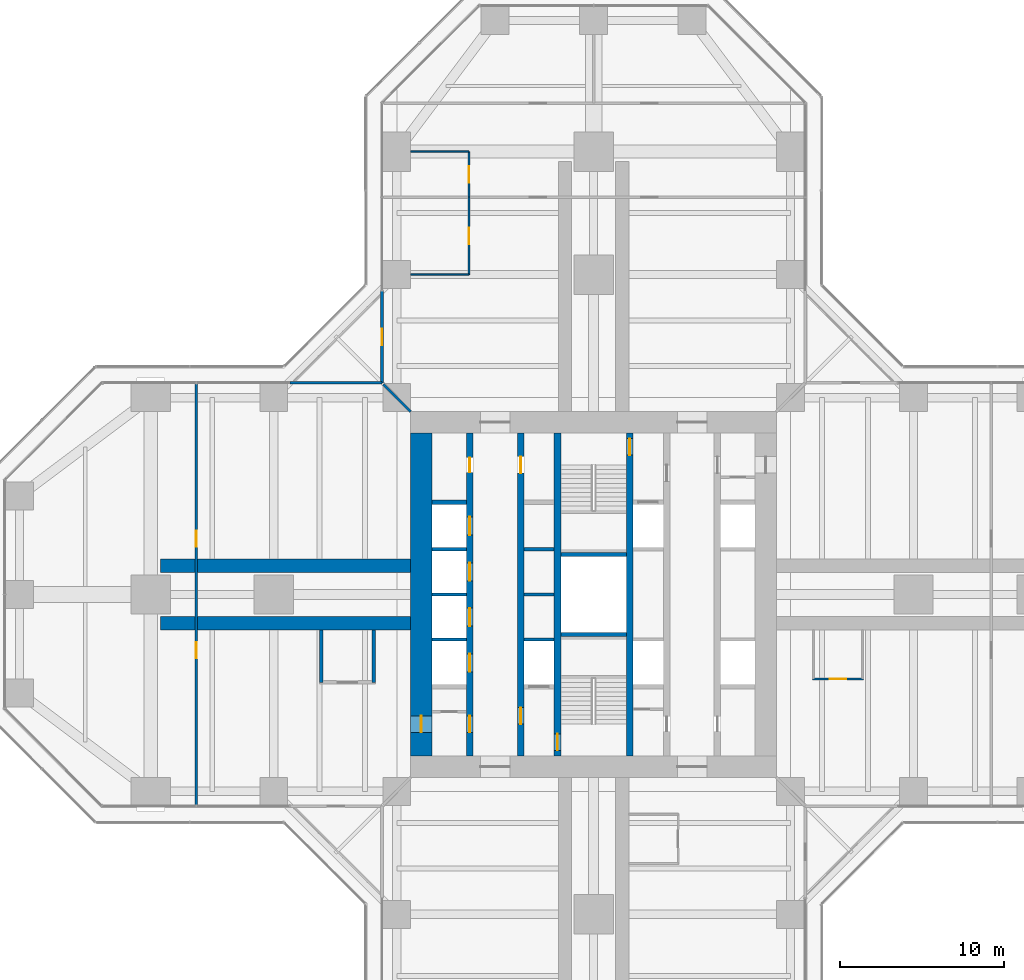
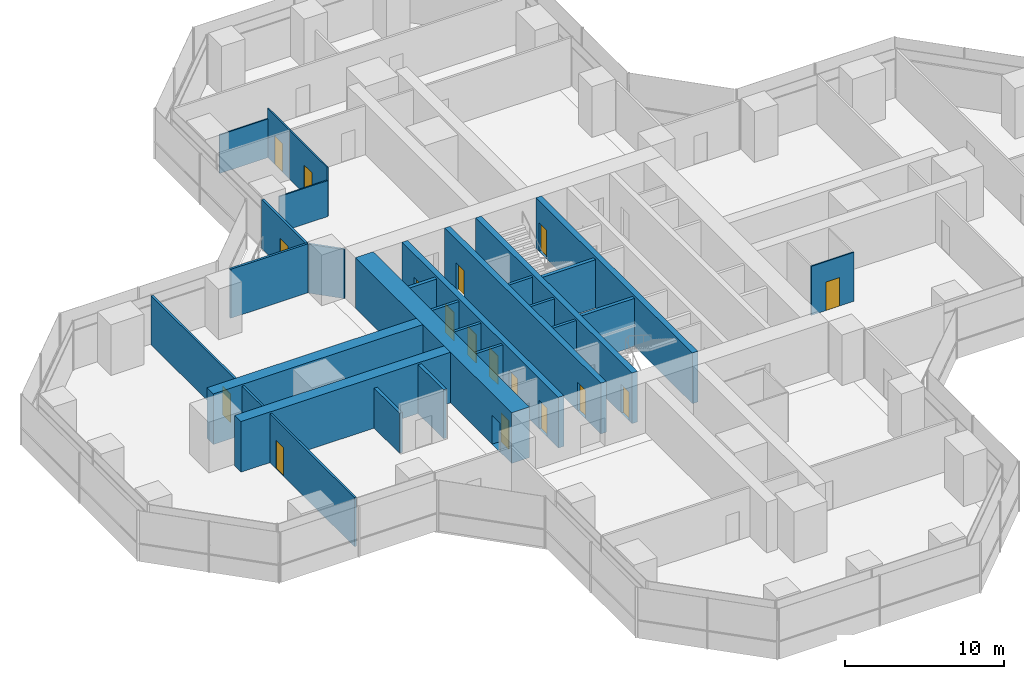
# One storey, part 18 of 22: 27 walls, 17 doors, 17 openings.
"""IFC4 building model written with IfcOpenShell, lengths in metres."""

from ifc_helpers import new_model, si_unit, direction, frame, frame_2d, origin, place, context, subcontext, project, spatial, rectangle, extrude, material, layer, layer_set, type_object, element, fill, save


model = new_model("IFC4")

# Units and contexts
model_context = context("Model", 3, precision=1e-05, world=origin(), true_north=direction((0.0, 1.0)))
body_context = subcontext(model_context, "Body", "Model", "MODEL_VIEW")
ifc_project = project(units=[si_unit("LENGTHUNIT", "METRE"), si_unit("AREAUNIT", "SQUARE_METRE"), si_unit("VOLUMEUNIT", "CUBIC_METRE"), si_unit("PLANEANGLEUNIT", "RADIAN"), si_unit("MASSUNIT", "GRAM", prefix="KILO")], contexts=[model_context])

# Site, building, storey
site_placement = place(None, origin())
site = spatial("IfcSite", under=ifc_project, at=site_placement, CompositionType="ELEMENT")
building_placement = place(site_placement, origin())
building = spatial("IfcBuilding", under=site, at=building_placement, Name="Mizan Broadcast Tower", CompositionType="ELEMENT")
storey_placement = place(building_placement, frame((0.0, 0.0, 109.800048828125)))
storey = spatial("IfcBuildingStorey", under=building, at=storey_placement, Name="L24", CompositionType="ELEMENT", Elevation=109.800048828125)

# Wall, openings, doors
ifc_material_1 = material(Name="Concrete C70/85", Category="concrete")
ifc_layer_1 = layer(ifc_material_1, 0.39990234375)
ifc_layer_set_1 = layer_set([ifc_layer_1], Name="Concrete C70/85")
wall_type_1 = type_object("IfcWallType", Name="CORE INTERNAL WALL 400", PredefinedType="SHEAR", material=ifc_layer_set_1)
wall_1_placement = place(storey_placement, frame((-7.550048828125, -9.85009765625, 0.0), z_axis=(0.0, 0.0, 1.0), x_axis=(0.0, 1.0, 0.0)))
wall_1 = element("IfcWall", 1, at=wall_1_placement, inside=storey, type_object=wall_type_1, Name="Core wall CORE/XW1", PredefinedType="SHEAR", context=body_context, shape_type="SweptSolid", body=[
    extrude(rectangle(XDim=19.7001953125, YDim=0.39990234375, at=frame_2d((9.85009765625, 0.0))), origin(), (0.0, 0.0, 1.0), 3.89990234375),
])
opening_1_placement = place(wall_1_placement, frame((1.449951171875, 0.0, 0.0)))
opening_1 = element("IfcOpeningElement", 2, at=opening_1_placement, cuts=wall_1, Name="Opening D10F", PredefinedType="OPENING", context=body_context, shape_type="SweptSolid", body=[
    extrude(rectangle(XDim=1.0, YDim=2.199951171875, at=frame_2d((0.5, 1.10009765625))), frame((0.0, 0.2099609375, 0.0), z_axis=(0.0, -1.0, 0.0), x_axis=(1.0, 0.0, 0.0)), (0.0, 0.0, 1.0), 0.419921875),
])
opening_2_placement = place(wall_1_placement, frame((17.300048828125, 0.0, 0.0)))
opening_2 = element("IfcOpeningElement", 3, at=opening_2_placement, cuts=wall_1, Name="Opening D09", PredefinedType="OPENING", context=body_context, shape_type="SweptSolid", body=[
    extrude(rectangle(XDim=0.89990234375, YDim=2.10009765625, at=frame_2d((0.449951171875, 1.050048828125))), frame((0.0, 0.2099609375, 0.0), z_axis=(0.0, -1.0, 0.0), x_axis=(1.0, 0.0, 0.0)), (0.0, 0.0, 1.0), 0.419921875),
])
opening_3_placement = place(wall_1_placement, frame((5.125, 0.0, 0.0)))
opening_3 = element("IfcOpeningElement", 4, at=opening_3_placement, cuts=wall_1, Name="Opening LD", PredefinedType="OPENING", context=body_context, shape_type="SweptSolid", body=[
    extrude(rectangle(XDim=1.10009765625, YDim=2.199951171875, at=frame_2d((0.550048828125, 1.10009765625))), frame((0.0, 0.2099609375, 0.0), z_axis=(0.0, -1.0, 0.0), x_axis=(1.0, 0.0, 0.0)), (0.0, 0.0, 1.0), 0.419921875),
])
opening_4_placement = place(wall_1_placement, frame((7.925048828125, 0.0, 0.0)))
opening_4 = element("IfcOpeningElement", 5, at=opening_4_placement, cuts=wall_1, Name="Opening LD", PredefinedType="OPENING", context=body_context, shape_type="SweptSolid", body=[
    extrude(rectangle(XDim=1.10009765625, YDim=2.199951171875, at=frame_2d((0.550048828125, 1.10009765625))), frame((0.0, 0.2099609375, 0.0), z_axis=(0.0, -1.0, 0.0), x_axis=(1.0, 0.0, 0.0)), (0.0, 0.0, 1.0), 0.419921875),
])
opening_5_placement = place(wall_1_placement, frame((10.675048828125, 0.0, 0.0)))
opening_5 = element("IfcOpeningElement", 6, at=opening_5_placement, cuts=wall_1, Name="Opening LD", PredefinedType="OPENING", context=body_context, shape_type="SweptSolid", body=[
    extrude(rectangle(XDim=1.10009765625, YDim=2.199951171875, at=frame_2d((0.550048828125, 1.10009765625))), frame((0.0, 0.2099609375, 0.0), z_axis=(0.0, -1.0, 0.0), x_axis=(1.0, 0.0, 0.0)), (0.0, 0.0, 1.0), 0.419921875),
])
opening_6_placement = place(wall_1_placement, frame((13.47509765625, 0.0, 0.0)))
opening_6 = element("IfcOpeningElement", 7, at=opening_6_placement, cuts=wall_1, Name="Opening LD", PredefinedType="OPENING", context=body_context, shape_type="SweptSolid", body=[
    extrude(rectangle(XDim=1.10009765625, YDim=2.199951171875, at=frame_2d((0.550048828125, 1.10009765625))), frame((0.0, 0.2099609375, 0.0), z_axis=(0.0, -1.0, 0.0), x_axis=(1.0, 0.0, 0.0)), (0.0, 0.0, 1.0), 0.419921875),
])
ifc_material_2 = material(Name="Steel door leaf in steel frame", Category="steel")
door_type_1 = type_object("IfcDoorType", Name="FIRE DOOR 1000 FD90", OperationType="SINGLE_SWING_LEFT", PredefinedType="DOOR", material=ifc_material_2)
door_1_placement = place(opening_1_placement, origin())
door_1 = element("IfcDoor", 8, at=door_1_placement, inside=storey, type_object=door_type_1, Name="West core passage door", OperationType="SINGLE_SWING_LEFT", OverallHeight=2.199951171875, OverallWidth=1.0, PredefinedType="DOOR", context=body_context, shape_type="SweptSolid", body=[
    extrude(rectangle(XDim=1.0, YDim=2.199951171875, at=frame_2d((0.5, 1.10009765625))), frame((0.0, 0.02490234375, 0.0), z_axis=(0.0, -1.0, 0.0), x_axis=(1.0, 0.0, 0.0)), (0.0, 0.0, 1.0), 0.050048828125),
])
fill(opening_1, door_1)
ifc_material_3 = material(Name="Steel door leaf in steel frame", Category="steel")
door_type_2 = type_object("IfcDoorType", Name="LIFT LANDING DOOR 1100", OperationType="SLIDING_TO_LEFT", PredefinedType="DOOR", material=ifc_material_3)
door_2_placement = place(opening_3_placement, origin())
door_2 = element("IfcDoor", 9, at=door_2_placement, inside=storey, type_object=door_type_2, Name="Landing door LA1", OperationType="SLIDING_TO_LEFT", OverallHeight=2.199951171875, OverallWidth=1.10009765625, PredefinedType="DOOR", context=body_context, shape_type="SweptSolid", body=[
    extrude(rectangle(XDim=1.10009765625, YDim=2.199951171875, at=frame_2d((0.550048828125, 1.10009765625))), frame((0.0, 0.02490234375, 0.0), z_axis=(0.0, -1.0, 0.0), x_axis=(1.0, 0.0, 0.0)), (0.0, 0.0, 1.0), 0.050048828125),
])
fill(opening_3, door_2)
door_3_placement = place(opening_4_placement, origin())
door_3 = element("IfcDoor", 10, at=door_3_placement, inside=storey, type_object=door_type_2, Name="Landing door LA2", OperationType="SLIDING_TO_LEFT", OverallHeight=2.199951171875, OverallWidth=1.10009765625, PredefinedType="DOOR", context=body_context, shape_type="SweptSolid", body=[
    extrude(rectangle(XDim=1.10009765625, YDim=2.199951171875, at=frame_2d((0.550048828125, 1.10009765625))), frame((0.0, 0.02490234375, 0.0), z_axis=(0.0, -1.0, 0.0), x_axis=(1.0, 0.0, 0.0)), (0.0, 0.0, 1.0), 0.050048828125),
])
fill(opening_4, door_3)
door_4_placement = place(opening_5_placement, origin())
door_4 = element("IfcDoor", 11, at=door_4_placement, inside=storey, type_object=door_type_2, Name="Landing door LA3", OperationType="SLIDING_TO_LEFT", OverallHeight=2.199951171875, OverallWidth=1.10009765625, PredefinedType="DOOR", context=body_context, shape_type="SweptSolid", body=[
    extrude(rectangle(XDim=1.10009765625, YDim=2.199951171875, at=frame_2d((0.550048828125, 1.10009765625))), frame((0.0, 0.02490234375, 0.0), z_axis=(0.0, -1.0, 0.0), x_axis=(1.0, 0.0, 0.0)), (0.0, 0.0, 1.0), 0.050048828125),
])
fill(opening_5, door_4)
door_5_placement = place(opening_6_placement, origin())
door_5 = element("IfcDoor", 12, at=door_5_placement, inside=storey, type_object=door_type_2, Name="Landing door LA4", OperationType="SLIDING_TO_LEFT", OverallHeight=2.199951171875, OverallWidth=1.10009765625, PredefinedType="DOOR", context=body_context, shape_type="SweptSolid", body=[
    extrude(rectangle(XDim=1.10009765625, YDim=2.199951171875, at=frame_2d((0.550048828125, 1.10009765625))), frame((0.0, 0.02490234375, 0.0), z_axis=(0.0, -1.0, 0.0), x_axis=(1.0, 0.0, 0.0)), (0.0, 0.0, 1.0), 0.050048828125),
])
fill(opening_6, door_5)
ifc_material_4 = material(Name="Timber door leaf in aluminium frame", Category="wood")
door_type_3 = type_object("IfcDoorType", Name="TOILET DOOR 900", OperationType="SINGLE_SWING_LEFT", PredefinedType="DOOR", material=ifc_material_4)
door_6_placement = place(opening_2_placement, origin())
door_6 = element("IfcDoor", 13, at=door_6_placement, inside=storey, type_object=door_type_3, Name="Male WC door", OperationType="SINGLE_SWING_RIGHT", OverallHeight=2.10009765625, OverallWidth=0.89990234375, PredefinedType="DOOR", context=body_context, shape_type="SweptSolid", body=[
    extrude(rectangle(XDim=0.89990234375, YDim=2.10009765625, at=frame_2d((0.449951171875, 1.050048828125))), frame((0.0, 0.02490234375, 0.0), z_axis=(0.0, -1.0, 0.0), x_axis=(1.0, 0.0, 0.0)), (0.0, 0.0, 1.0), 0.050048828125),
])
fill(opening_2, door_6)

wall_2_placement = place(storey_placement, frame((-4.449951171875, -9.85009765625, 0.0), z_axis=(0.0, 0.0, 1.0), x_axis=(0.0, 1.0, 0.0)))
wall_2 = element("IfcWall", 14, at=wall_2_placement, inside=storey, type_object=wall_type_1, Name="Core wall CORE/XWH", PredefinedType="SHEAR", context=body_context, shape_type="SweptSolid", body=[
    extrude(rectangle(XDim=19.7001953125, YDim=0.39990234375, at=frame_2d((9.85009765625, 0.0))), origin(), (0.0, 0.0, 1.0), 3.89990234375),
])
opening_7_placement = place(wall_2_placement, frame((1.949951171875, 0.0, 0.0)))
opening_7 = element("IfcOpeningElement", 15, at=opening_7_placement, cuts=wall_2, Name="Opening D10F", PredefinedType="OPENING", context=body_context, shape_type="SweptSolid", body=[
    extrude(rectangle(XDim=1.0, YDim=2.199951171875, at=frame_2d((0.5, 1.10009765625))), frame((0.0, 0.2099609375, 0.0), z_axis=(0.0, -1.0, 0.0), x_axis=(1.0, 0.0, 0.0)), (0.0, 0.0, 1.0), 0.419921875),
])
opening_8_placement = place(wall_2_placement, frame((17.25, 0.0, 0.0)))
opening_8 = element("IfcOpeningElement", 16, at=opening_8_placement, cuts=wall_2, Name="Opening D10A", PredefinedType="OPENING", context=body_context, shape_type="SweptSolid", body=[
    extrude(rectangle(XDim=1.0, YDim=2.10009765625, at=frame_2d((0.5, 1.050048828125))), frame((0.0, 0.2099609375, 0.0), z_axis=(0.0, -1.0, 0.0), x_axis=(1.0, 0.0, 0.0)), (0.0, 0.0, 1.0), 0.419921875),
])
ifc_material_5 = material(Name="Timber door leaf in aluminium frame", Category="wood")
door_type_4 = type_object("IfcDoorType", Name="ACCESSIBLE WC DOOR 1000", OperationType="SLIDING_TO_LEFT", PredefinedType="DOOR", material=ifc_material_5)
door_7_placement = place(opening_8_placement, origin())
door_7 = element("IfcDoor", 17, at=door_7_placement, inside=storey, type_object=door_type_4, Name="Accessible WC door", OperationType="SLIDING_TO_LEFT", OverallHeight=2.10009765625, OverallWidth=1.0, PredefinedType="DOOR", context=body_context, shape_type="SweptSolid", body=[
    extrude(rectangle(XDim=1.0, YDim=2.10009765625, at=frame_2d((0.5, 1.050048828125))), frame((0.0, 0.02490234375, 0.0), z_axis=(0.0, -1.0, 0.0), x_axis=(1.0, 0.0, 0.0)), (0.0, 0.0, 1.0), 0.050048828125),
])
fill(opening_8, door_7)
door_8_placement = place(opening_7_placement, origin())
door_8 = element("IfcDoor", 18, at=door_8_placement, inside=storey, type_object=door_type_1, Name="Firefighting lobby A door", OperationType="SINGLE_SWING_LEFT", OverallHeight=2.199951171875, OverallWidth=1.0, PredefinedType="DOOR", context=body_context, shape_type="SweptSolid", body=[
    extrude(rectangle(XDim=1.0, YDim=2.199951171875, at=frame_2d((0.5, 1.10009765625))), frame((0.0, 0.02490234375, 0.0), z_axis=(0.0, -1.0, 0.0), x_axis=(1.0, 0.0, 0.0)), (0.0, 0.0, 1.0), 0.050048828125),
])
fill(opening_7, door_8)

# Wall, opening, door
wall_3_placement = place(storey_placement, frame((-2.199951171875, -9.85009765625, 0.0), z_axis=(0.0, 0.0, 1.0), x_axis=(0.0, 1.0, 0.0)))
wall_3 = element("IfcWall", 19, at=wall_3_placement, inside=storey, type_object=wall_type_1, Name="Core wall CORE/XW2", PredefinedType="SHEAR", context=body_context, shape_type="SweptSolid", body=[
    extrude(rectangle(XDim=19.7001953125, YDim=0.39990234375, at=frame_2d((9.85009765625, 0.0))), origin(), (0.0, 0.0, 1.0), 3.89990234375),
])
opening_9_placement = place(wall_3_placement, frame((0.35009765625, 0.0, 0.0)))
opening_9 = element("IfcOpeningElement", 20, at=opening_9_placement, cuts=wall_3, Name="Opening D10S", PredefinedType="OPENING", context=body_context, shape_type="SweptSolid", body=[
    extrude(rectangle(XDim=1.0, YDim=2.199951171875, at=frame_2d((0.5, 1.10009765625))), frame((0.0, 0.2099609375, 0.0), z_axis=(0.0, -1.0, 0.0), x_axis=(1.0, 0.0, 0.0)), (0.0, 0.0, 1.0), 0.419921875),
])
ifc_material_6 = material(Name="Steel door leaf in steel frame", Category="steel")
door_type_5 = type_object("IfcDoorType", Name="STAIR DOOR 1000 FD90S", OperationType="SINGLE_SWING_RIGHT", PredefinedType="DOOR", material=ifc_material_6)
door_9_placement = place(opening_9_placement, origin())
door_9 = element("IfcDoor", 21, at=door_9_placement, inside=storey, type_object=door_type_5, Name="Stair A door", OperationType="SINGLE_SWING_RIGHT", OverallHeight=2.199951171875, OverallWidth=1.0, PredefinedType="DOOR", context=body_context, shape_type="SweptSolid", body=[
    extrude(rectangle(XDim=1.0, YDim=2.199951171875, at=frame_2d((0.5, 1.10009765625))), frame((0.0, 0.02490234375, 0.0), z_axis=(0.0, -1.0, 0.0), x_axis=(1.0, 0.0, 0.0)), (0.0, 0.0, 1.0), 0.050048828125),
])
fill(opening_9, door_9)

wall_4_placement = place(storey_placement, frame((2.199951171875, 9.85009765625, 0.0), z_axis=(0.0, 0.0, 1.0), x_axis=(0.0, -1.0, 0.0)))
wall_4 = element("IfcWall", 22, at=wall_4_placement, inside=storey, type_object=wall_type_1, Name="Core wall CORE/XW2E", PredefinedType="SHEAR", context=body_context, shape_type="SweptSolid", body=[
    extrude(rectangle(XDim=19.7001953125, YDim=0.39990234375, at=frame_2d((9.85009765625, 0.0))), origin(), (0.0, 0.0, 1.0), 3.89990234375),
])
opening_10_placement = place(wall_4_placement, frame((0.35009765625, 0.0, 0.0)))
opening_10 = element("IfcOpeningElement", 23, at=opening_10_placement, cuts=wall_4, Name="Opening D10S", PredefinedType="OPENING", context=body_context, shape_type="SweptSolid", body=[
    extrude(rectangle(XDim=1.0, YDim=2.199951171875, at=frame_2d((0.5, 1.10009765625))), frame((0.0, 0.2099609375, 0.0), z_axis=(0.0, -1.0, 0.0), x_axis=(1.0, 0.0, 0.0)), (0.0, 0.0, 1.0), 0.419921875),
])
door_10_placement = place(opening_10_placement, origin())
door_10 = element("IfcDoor", 24, at=door_10_placement, inside=storey, type_object=door_type_5, Name="Stair B door", OperationType="SINGLE_SWING_RIGHT", OverallHeight=2.199951171875, OverallWidth=1.0, PredefinedType="DOOR", context=body_context, shape_type="SweptSolid", body=[
    extrude(rectangle(XDim=1.0, YDim=2.199951171875, at=frame_2d((0.5, 1.10009765625))), frame((0.0, 0.02490234375, 0.0), z_axis=(0.0, -1.0, 0.0), x_axis=(1.0, 0.0, 0.0)), (0.0, 0.0, 1.0), 0.050048828125),
])
fill(opening_10, door_10)

ifc_material_7 = material(Name="Concrete C70/85", Category="concrete")
ifc_layer_2 = layer(ifc_material_7, 1.300048828125)
ifc_layer_set_2 = layer_set([ifc_layer_2], Name="Concrete C70/85")
wall_type_2 = type_object("IfcWallType", Name="CORE WALL 1300", PredefinedType="SHEAR", material=ifc_layer_set_2)
wall_5_placement = place(storey_placement, frame((-10.5, 9.85009765625, 0.0), z_axis=(0.0, 0.0, 1.0), x_axis=(0.0, -1.0, 0.0)))
wall_5 = element("IfcWall", 25, at=wall_5_placement, inside=storey, type_object=wall_type_2, Name="Core wall W L24", PredefinedType="SHEAR", context=body_context, shape_type="SweptSolid", body=[
    extrude(rectangle(XDim=19.7001953125, YDim=1.300048828125, at=frame_2d((9.85009765625, 0.0))), origin(), (0.0, 0.0, 1.0), 3.89990234375),
])
opening_11_placement = place(wall_5_placement, frame((17.25, 0.0, 0.0)))
opening_11 = element("IfcOpeningElement", 26, at=opening_11_placement, cuts=wall_5, Name="Opening D10F", PredefinedType="OPENING", context=body_context, shape_type="SweptSolid", body=[
    extrude(rectangle(XDim=1.0, YDim=2.199951171875, at=frame_2d((0.5, 1.10009765625))), frame((0.0, 0.659912109375, 0.0), z_axis=(0.0, -1.0, 0.0), x_axis=(1.0, 0.0, 0.0)), (0.0, 0.0, 1.0), 1.320068359375),
])
door_11_placement = place(opening_11_placement, origin())
door_11 = element("IfcDoor", 27, at=door_11_placement, inside=storey, type_object=door_type_1, Name="West core passage arm door", OperationType="SINGLE_SWING_RIGHT", OverallHeight=2.199951171875, OverallWidth=1.0, PredefinedType="DOOR", context=body_context, shape_type="SweptSolid", body=[
    extrude(rectangle(XDim=1.0, YDim=2.199951171875, at=frame_2d((0.5, 1.10009765625))), frame((0.0, 0.02490234375, 0.0), z_axis=(0.0, -1.0, 0.0), x_axis=(1.0, 0.0, 0.0)), (0.0, 0.0, 1.0), 0.050048828125),
])
fill(opening_11, door_11)

ifc_material_8 = material(Name="Aluminium framed glazed screen", Category="aluminium")
ifc_layer_3 = layer(ifc_material_8, 0.159912109375)
ifc_layer_set_3 = layer_set([ifc_layer_3], Name="Aluminium framed glazed screen")
wall_type_3 = type_object("IfcWallType", Name="GLAZED SCREEN WALL 160", PredefinedType="SOLIDWALL", material=ifc_layer_set_3)
wall_6_placement = place(storey_placement, frame((-12.89990234375, 18.5, 0.0), z_axis=(0.0, 0.0, 1.0), x_axis=(0.0, -1.0, 0.0)))
wall_6 = element("IfcWall", 28, at=wall_6_placement, inside=storey, type_object=wall_type_3, Name="Winter garden screen L24 N", PredefinedType="SOLIDWALL", context=body_context, shape_type="SweptSolid", body=[
    extrude(rectangle(XDim=5.60009765625, YDim=0.159912109375, at=frame_2d((2.800048828125, 0.0))), origin(), (0.0, 0.0, 1.0), 3.77001953125),
])
opening_12_placement = place(wall_6_placement, frame((2.300048828125, 0.0, 0.0)))
opening_12 = element("IfcOpeningElement", 29, at=opening_12_placement, cuts=wall_6, Name="Opening WGD", PredefinedType="OPENING", context=body_context, shape_type="SweptSolid", body=[
    extrude(rectangle(XDim=1.0, YDim=2.199951171875, at=frame_2d((0.5, 1.10009765625))), frame((0.0, 0.08984375, 0.0), z_axis=(0.0, -1.0, 0.0), x_axis=(1.0, 0.0, 0.0)), (0.0, 0.0, 1.0), 0.179931640625),
])
ifc_material_9 = material(Name="Aluminium framed glazed door", Category="aluminium")
door_type_6 = type_object("IfcDoorType", Name="WINTER GARDEN DOOR 1000 GLAZED", OperationType="SINGLE_SWING_LEFT", PredefinedType="DOOR", material=ifc_material_9)
door_12_placement = place(opening_12_placement, origin())
door_12 = element("IfcDoor", 30, at=door_12_placement, inside=storey, type_object=door_type_6, Name="Winter garden door L24 N", OperationType="SINGLE_SWING_RIGHT", OverallHeight=2.199951171875, OverallWidth=1.0, PredefinedType="DOOR", context=body_context, shape_type="SweptSolid", body=[
    extrude(rectangle(XDim=1.0, YDim=2.199951171875, at=frame_2d((0.5, 1.10009765625))), frame((0.0, 0.02490234375, 0.0), z_axis=(0.0, -1.0, 0.0), x_axis=(1.0, 0.0, 0.0)), (0.0, 0.0, 1.0), 0.050048828125),
])
fill(opening_12, door_12)

# Walls
wall_7_placement = place(storey_placement, frame((-12.89990234375, 12.89990234375, 0.0), z_axis=(0.0, 0.0, 1.0), x_axis=(-1.0, 0.0, 0.0)))
element("IfcWall", 31, at=wall_7_placement, inside=storey, type_object=wall_type_3, Name="Winter garden screen L24 W", PredefinedType="SOLIDWALL", context=body_context, shape_type="SweptSolid", body=[
    extrude(rectangle(XDim=5.60009765625, YDim=0.159912109375, at=frame_2d((2.800048828125, 0.0))), origin(), (0.0, 0.0, 1.0), 3.77001953125),
])
ifc_material_10 = material(Name="Concrete blockwork", Category="masonry")
ifc_layer_4 = layer(ifc_material_10, 0.199951171875)
ifc_layer_set_4 = layer_set([ifc_layer_4], Name="Concrete blockwork")
wall_type_4 = type_object("IfcWallType", Name="LIFT SHAFT WALL 200", PredefinedType="SOLIDWALL", material=ifc_layer_set_4)
wall_8_placement = place(storey_placement, frame((-9.85009765625, -2.75, 0.0), z_axis=(0.0, 0.0, 1.0), x_axis=(1.0, 0.0, 0.0)))
element("IfcWall", 32, at=wall_8_placement, inside=storey, type_object=wall_type_4, Name="Lift shaft wall CORE/SW1-1", PredefinedType="SOLIDWALL", context=body_context, shape_type="SweptSolid", body=[
    extrude(rectangle(XDim=2.10009765625, YDim=0.199951171875, at=frame_2d((1.050048828125, 0.0))), origin(), (0.0, 0.0, 1.0), 3.699951171875),
])
wall_9_placement = place(storey_placement, frame((-4.25, -2.75, 0.0), z_axis=(0.0, 0.0, 1.0), x_axis=(1.0, 0.0, 0.0)))
element("IfcWall", 33, at=wall_9_placement, inside=storey, type_object=wall_type_4, Name="Lift shaft wall CORE/SW2-1", PredefinedType="SOLIDWALL", context=body_context, shape_type="SweptSolid", body=[
    extrude(rectangle(XDim=1.85009765625, YDim=0.199951171875, at=frame_2d((0.925048828125, 0.0))), origin(), (0.0, 0.0, 1.0), 3.699951171875),
])
wall_10_placement = place(storey_placement, frame((-9.85009765625, 0.0, 0.0), z_axis=(0.0, 0.0, 1.0), x_axis=(1.0, 0.0, 0.0)))
element("IfcWall", 34, at=wall_10_placement, inside=storey, type_object=wall_type_4, Name="Lift shaft wall CORE/SW1-2", PredefinedType="SOLIDWALL", context=body_context, shape_type="SweptSolid", body=[
    extrude(rectangle(XDim=2.10009765625, YDim=0.199951171875, at=frame_2d((1.050048828125, 0.0))), origin(), (0.0, 0.0, 1.0), 3.699951171875),
])
wall_11_placement = place(storey_placement, frame((-4.25, 0.0, 0.0), z_axis=(0.0, 0.0, 1.0), x_axis=(1.0, 0.0, 0.0)))
element("IfcWall", 35, at=wall_11_placement, inside=storey, type_object=wall_type_4, Name="Lift shaft wall CORE/SW2-2", PredefinedType="SOLIDWALL", context=body_context, shape_type="SweptSolid", body=[
    extrude(rectangle(XDim=1.85009765625, YDim=0.199951171875, at=frame_2d((0.925048828125, 0.0))), origin(), (0.0, 0.0, 1.0), 3.699951171875),
])
wall_12_placement = place(storey_placement, frame((-9.85009765625, 2.75, 0.0), z_axis=(0.0, 0.0, 1.0), x_axis=(1.0, 0.0, 0.0)))
element("IfcWall", 36, at=wall_12_placement, inside=storey, type_object=wall_type_4, Name="Lift shaft wall CORE/SW1-3", PredefinedType="SOLIDWALL", context=body_context, shape_type="SweptSolid", body=[
    extrude(rectangle(XDim=2.10009765625, YDim=0.199951171875, at=frame_2d((1.050048828125, 0.0))), origin(), (0.0, 0.0, 1.0), 3.699951171875),
])
wall_13_placement = place(storey_placement, frame((-4.25, 2.75, 0.0), z_axis=(0.0, 0.0, 1.0), x_axis=(1.0, 0.0, 0.0)))
element("IfcWall", 37, at=wall_13_placement, inside=storey, type_object=wall_type_4, Name="Lift shaft wall CORE/SW2-3", PredefinedType="SOLIDWALL", context=body_context, shape_type="SweptSolid", body=[
    extrude(rectangle(XDim=1.85009765625, YDim=0.199951171875, at=frame_2d((0.925048828125, 0.0))), origin(), (0.0, 0.0, 1.0), 3.699951171875),
])
ifc_material_11 = material(Name="Concrete blockwork", Category="masonry")
ifc_layer_5 = layer(ifc_material_11, 0.25)
ifc_layer_set_5 = layer_set([ifc_layer_5], Name="Concrete blockwork")
wall_type_5 = type_object("IfcWallType", Name="LOBBY ENCLOSURE WALL 250", PredefinedType="SOLIDWALL", material=ifc_layer_set_5)
wall_14_placement = place(storey_placement, frame((-9.85009765625, 5.625, 0.0), z_axis=(0.0, 0.0, 1.0), x_axis=(1.0, 0.0, 0.0)))
element("IfcWall", 38, at=wall_14_placement, inside=storey, type_object=wall_type_5, Name="Lobby enclosure wall CORE/BW1N", PredefinedType="SOLIDWALL", context=body_context, shape_type="SweptSolid", body=[
    extrude(rectangle(XDim=2.10009765625, YDim=0.25, at=frame_2d((1.050048828125, 0.0))), origin(), (0.0, 0.0, 1.0), 3.699951171875),
])
for number, where, z_axis, x_axis, name in (
    (39, (-2.0, -2.449951171875, 0.0), (0.0, 0.0, 1.0), (1.0, 0.0, 0.0), "Lobby enclosure wall CORE/STA"),
    (40, (-2.0, 2.449951171875, 0.0), (0.0, 0.0, 1.0), (1.0, 0.0, 0.0), "Lobby enclosure wall CORE/STB"),
):
    element("IfcWall", number, at=place(storey_placement, frame(where, z_axis=z_axis, x_axis=x_axis)), inside=storey, type_object=wall_type_5, Name=name, PredefinedType="SOLIDWALL", context=body_context, shape_type="SweptSolid", body=[
        extrude(rectangle(XDim=4.0, YDim=0.25, at=frame_2d((2.0, 0.0))), origin(), (0.0, 0.0, 1.0), 3.699951171875),
    ])

# Wall, openings, doors
ifc_material_12 = material(Name="Gypsum board on steel studs", Category="steel")
ifc_layer_6 = layer(ifc_material_12, 0.14990234375)
ifc_layer_set_6 = layer_set([ifc_layer_6], Name="Gypsum board on steel studs")
wall_type_6 = type_object("IfcWallType", Name="PARTITION 150", PredefinedType="PARTITIONING", material=ifc_layer_set_6)
wall_15_placement = place(storey_placement, frame((-24.22900390625, 12.820068359375, 0.0), z_axis=(0.0, 0.0, 1.0), x_axis=(0.0, -1.0, 0.0)))
wall_15 = element("IfcWall", 41, at=wall_15_placement, inside=storey, type_object=wall_type_6, Name="Partition PT/WX1", PredefinedType="PARTITIONING", context=body_context, shape_type="SweptSolid", body=[
    extrude(rectangle(XDim=25.64013671875, YDim=0.14990234375, at=frame_2d((12.820068359375, 0.0))), origin(), (0.0, 0.0, 1.0), 3.77001953125),
])
opening_13_placement = place(wall_15_placement, frame((15.719970703125, 0.0, 0.0)))
opening_13 = element("IfcOpeningElement", 42, at=opening_13_placement, cuts=wall_15, Name="Opening D10", PredefinedType="OPENING", context=body_context, shape_type="SweptSolid", body=[
    extrude(rectangle(XDim=1.0, YDim=2.199951171875, at=frame_2d((0.5, 1.10009765625))), frame((0.0, 0.0849609375, 0.0), z_axis=(0.0, -1.0, 0.0), x_axis=(1.0, 0.0, 0.0)), (0.0, 0.0, 1.0), 0.169921875),
])
opening_14_placement = place(wall_15_placement, frame((8.919921875, 0.0, 0.0)))
opening_14 = element("IfcOpeningElement", 43, at=opening_14_placement, cuts=wall_15, Name="Opening D10", PredefinedType="OPENING", context=body_context, shape_type="SweptSolid", body=[
    extrude(rectangle(XDim=1.0, YDim=2.199951171875, at=frame_2d((0.5, 1.10009765625))), frame((0.0, 0.0849609375, 0.0), z_axis=(0.0, -1.0, 0.0), x_axis=(1.0, 0.0, 0.0)), (0.0, 0.0, 1.0), 0.169921875),
])
ifc_material_13 = material(Name="Timber door leaf in aluminium frame", Category="wood")
door_type_7 = type_object("IfcDoorType", Name="ROOM DOOR 1000", OperationType="SINGLE_SWING_LEFT", PredefinedType="DOOR", material=ifc_material_13)
door_13_placement = place(opening_13_placement, origin())
door_13 = element("IfcDoor", 44, at=door_13_placement, inside=storey, type_object=door_type_7, Name="Breakout area door", OperationType="SINGLE_SWING_RIGHT", OverallHeight=2.199951171875, OverallWidth=1.0, PredefinedType="DOOR", context=body_context, shape_type="SweptSolid", body=[
    extrude(rectangle(XDim=1.0, YDim=2.199951171875, at=frame_2d((0.5, 1.10009765625))), frame((0.0, 0.02490234375, 0.0), z_axis=(0.0, -1.0, 0.0), x_axis=(1.0, 0.0, 0.0)), (0.0, 0.0, 1.0), 0.050048828125),
])
fill(opening_13, door_13)
door_14_placement = place(opening_14_placement, origin())
door_14 = element("IfcDoor", 45, at=door_14_placement, inside=storey, type_object=door_type_7, Name="Breakout area door", OperationType="SINGLE_SWING_LEFT", OverallHeight=2.199951171875, OverallWidth=1.0, PredefinedType="DOOR", context=body_context, shape_type="SweptSolid", body=[
    extrude(rectangle(XDim=1.0, YDim=2.199951171875, at=frame_2d((0.5, 1.10009765625))), frame((0.0, 0.02490234375, 0.0), z_axis=(0.0, -1.0, 0.0), x_axis=(1.0, 0.0, 0.0)), (0.0, 0.0, 1.0), 0.050048828125),
])
fill(opening_14, door_14)

# Walls
wall_16_placement = place(storey_placement, frame((-11.14990234375, 11.14990234375, 0.0), z_axis=(0.0, 0.0, 1.0), x_axis=(-0.707106781187, 0.707106781187, 0.0)))
element("IfcWall", 46, at=wall_16_placement, inside=storey, type_object=wall_type_6, Name="Partition PT/DGWN", PredefinedType="PARTITIONING", context=body_context, shape_type="SweptSolid", body=[
    extrude(rectangle(XDim=2.362060546875, YDim=0.14990234375, at=frame_2d((1.18115234375, 0.0))), origin(), (0.0, 0.0, 1.0), 3.77001953125),
])
ifc_material_14 = material(Name="Twin steel stud acoustic partition, four layers of gypsum board", Category="steel")
ifc_layer_7 = layer(ifc_material_14, 0.22509765625)
ifc_layer_set_7 = layer_set([ifc_layer_7], Name="Twin steel stud acoustic partition, four layers of gypsum board")
wall_type_7 = type_object("IfcWallType", Name="PARTITION ACOUSTIC 225", PredefinedType="PARTITIONING", material=ifc_layer_set_7)
wall_17_placement = place(storey_placement, frame((-13.39990234375, -2.14990234375, 0.0), z_axis=(0.0, 0.0, 1.0), x_axis=(0.0, -1.0, 0.0)))
element("IfcWall", 47, at=wall_17_placement, inside=storey, type_object=wall_type_7, Name="Acoustic partition PT/WKP0a", PredefinedType="PARTITIONING", context=body_context, shape_type="SweptSolid", body=[
    extrude(rectangle(XDim=3.2001953125, YDim=0.22509765625, at=frame_2d((1.60009765625, 0.0))), origin(), (0.0, 0.0, 1.0), 3.77001953125),
])
wall_18_placement = place(storey_placement, frame((-16.60009765625, -2.14990234375, 0.0), z_axis=(0.0, 0.0, 1.0), x_axis=(0.0, -1.0, 0.0)))
element("IfcWall", 48, at=wall_18_placement, inside=storey, type_object=wall_type_7, Name="Acoustic partition PT/WKP0b", PredefinedType="PARTITIONING", context=body_context, shape_type="SweptSolid", body=[
    extrude(rectangle(XDim=3.2001953125, YDim=0.22509765625, at=frame_2d((1.60009765625, 0.0))), origin(), (0.0, 0.0, 1.0), 3.079833984375),
])

# Wall, opening, door
ifc_material_15 = material(Name="Glazed aluminium partition on aluminium track", Category="aluminium")
ifc_layer_8 = layer(ifc_material_15, 0.10009765625)
ifc_layer_set_8 = layer_set([ifc_layer_8], Name="Glazed aluminium partition on aluminium track")
wall_type_8 = type_object("IfcWallType", Name="PARTITION GLAZED OFFICE FRONT 100", PredefinedType="PARTITIONING", material=ifc_layer_set_8)
wall_19_placement = place(storey_placement, frame((13.35009765625, -5.14990234375, 0.0), z_axis=(0.0, 0.0, 1.0), x_axis=(1.0, 0.0, 0.0)))
wall_19 = element("IfcWall", 49, at=wall_19_placement, inside=storey, type_object=wall_type_8, Name="Glazed office front PT/EKN0f", PredefinedType="PARTITIONING", context=body_context, shape_type="SweptSolid", body=[
    extrude(rectangle(XDim=3.099853515625, YDim=0.10009765625, at=frame_2d((1.5498046875, 0.0))), origin(), (0.0, 0.0, 1.0), 3.77001953125),
])
opening_15_placement = place(wall_19_placement, frame((1.050048828125, 0.0, 0.0)))
opening_15 = element("IfcOpeningElement", 50, at=opening_15_placement, cuts=wall_19, Name="Opening D10O", PredefinedType="OPENING", context=body_context, shape_type="SweptSolid", body=[
    extrude(rectangle(XDim=1.0, YDim=2.199951171875, at=frame_2d((0.5, 1.10009765625))), frame((0.0, 0.06005859375, 0.0), z_axis=(0.0, -1.0, 0.0), x_axis=(1.0, 0.0, 0.0)), (0.0, 0.0, 1.0), 0.1201171875),
])
ifc_material_16 = material(Name="Timber door leaf in aluminium frame", Category="wood")
door_type_8 = type_object("IfcDoorType", Name="OFFICE DOOR 1000 GLAZED", OperationType="SINGLE_SWING_LEFT", PredefinedType="DOOR", material=ifc_material_16)
door_15_placement = place(opening_15_placement, origin())
door_15 = element("IfcDoor", 51, at=door_15_placement, inside=storey, type_object=door_type_8, Name="Training store door", OperationType="SINGLE_SWING_LEFT", OverallHeight=2.199951171875, OverallWidth=1.0, PredefinedType="DOOR", context=body_context, shape_type="SweptSolid", body=[
    extrude(rectangle(XDim=1.0, YDim=2.199951171875, at=frame_2d((0.5, 1.10009765625))), frame((0.0, 0.02490234375, 0.0), z_axis=(0.0, -1.0, 0.0), x_axis=(1.0, 0.0, 0.0)), (0.0, 0.0, 1.0), 0.050048828125),
])
fill(opening_15, door_15)

wall_20_placement = place(storey_placement, frame((-7.60009765625, 19.5, 0.0), z_axis=(0.0, 0.0, 1.0), x_axis=(0.0, 1.0, 0.0)))
wall_20 = element("IfcWall", 52, at=wall_20_placement, inside=storey, type_object=wall_type_8, Name="Glazed office front PT/NCP0", PredefinedType="PARTITIONING", context=body_context, shape_type="SweptSolid", body=[
    extrude(rectangle(XDim=4.72900390625, YDim=0.10009765625, at=frame_2d((2.364501953125, 0.0))), origin(), (0.0, 0.0, 1.0), 3.77001953125),
])
opening_16_placement = place(wall_20_placement, frame((1.864501953125, 0.0, 0.0)))
opening_16 = element("IfcOpeningElement", 53, at=opening_16_placement, cuts=wall_20, Name="Opening D10O", PredefinedType="OPENING", context=body_context, shape_type="SweptSolid", body=[
    extrude(rectangle(XDim=1.0, YDim=2.199951171875, at=frame_2d((0.5, 1.10009765625))), frame((0.0, 0.06005859375, 0.0), z_axis=(0.0, -1.0, 0.0), x_axis=(1.0, 0.0, 0.0)), (0.0, 0.0, 1.0), 0.1201171875),
])
door_16_placement = place(opening_16_placement, origin())
door_16 = element("IfcDoor", 54, at=door_16_placement, inside=storey, type_object=door_type_8, Name="Tutor's office door", OperationType="SINGLE_SWING_LEFT", OverallHeight=2.199951171875, OverallWidth=1.0, PredefinedType="DOOR", context=body_context, shape_type="SweptSolid", body=[
    extrude(rectangle(XDim=1.0, YDim=2.199951171875, at=frame_2d((0.5, 1.10009765625))), frame((0.0, 0.02490234375, 0.0), z_axis=(0.0, -1.0, 0.0), x_axis=(1.0, 0.0, 0.0)), (0.0, 0.0, 1.0), 0.050048828125),
])
fill(opening_16, door_16)

wall_21_placement = place(storey_placement, frame((-7.60009765625, 24.22900390625, 0.0), z_axis=(0.0, 0.0, 1.0), x_axis=(0.0, 1.0, 0.0)))
wall_21 = element("IfcWall", 55, at=wall_21_placement, inside=storey, type_object=wall_type_8, Name="Glazed office front PT/NCP1", PredefinedType="PARTITIONING", context=body_context, shape_type="SweptSolid", body=[
    extrude(rectangle(XDim=2.77099609375, YDim=0.10009765625, at=frame_2d((1.385498046875, 0.0))), origin(), (0.0, 0.0, 1.0), 3.77001953125),
])
opening_17_placement = place(wall_21_placement, frame((0.885498046875, 0.0, 0.0)))
opening_17 = element("IfcOpeningElement", 56, at=opening_17_placement, cuts=wall_21, Name="Opening D10O", PredefinedType="OPENING", context=body_context, shape_type="SweptSolid", body=[
    extrude(rectangle(XDim=1.0, YDim=2.199951171875, at=frame_2d((0.5, 1.10009765625))), frame((0.0, 0.06005859375, 0.0), z_axis=(0.0, -1.0, 0.0), x_axis=(1.0, 0.0, 0.0)), (0.0, 0.0, 1.0), 0.1201171875),
])
door_17_placement = place(opening_17_placement, origin())
door_17 = element("IfcDoor", 57, at=door_17_placement, inside=storey, type_object=door_type_8, Name="Tutor's office door", OperationType="SINGLE_SWING_LEFT", OverallHeight=2.199951171875, OverallWidth=1.0, PredefinedType="DOOR", context=body_context, shape_type="SweptSolid", body=[
    extrude(rectangle(XDim=1.0, YDim=2.199951171875, at=frame_2d((0.5, 1.10009765625))), frame((0.0, 0.02490234375, 0.0), z_axis=(0.0, -1.0, 0.0), x_axis=(1.0, 0.0, 0.0)), (0.0, 0.0, 1.0), 0.050048828125),
])
fill(opening_17, door_17)

# Walls
wall_22_placement = place(storey_placement, frame((-7.60009765625, 19.5, 0.0), z_axis=(0.0, 0.0, 1.0), x_axis=(-1.0, 0.0, 0.0)))
element("IfcWall", 58, at=wall_22_placement, inside=storey, type_object=wall_type_8, Name="Glazed office front PT/NQP1950", PredefinedType="PARTITIONING", context=body_context, shape_type="SweptSolid", body=[
    extrude(rectangle(XDim=3.5498046875, YDim=0.10009765625, at=frame_2d((1.77490234375, 0.0))), origin(), (0.0, 0.0, 1.0), 2.77001953125),
])
wall_23_placement = place(storey_placement, frame((-7.60009765625, 27.0, 0.0), z_axis=(0.0, 0.0, 1.0), x_axis=(-1.0, 0.0, 0.0)))
element("IfcWall", 59, at=wall_23_placement, inside=storey, type_object=wall_type_8, Name="Glazed office front PT/NQP2700", PredefinedType="PARTITIONING", context=body_context, shape_type="SweptSolid", body=[
    extrude(rectangle(XDim=3.5498046875, YDim=0.10009765625, at=frame_2d((1.77490234375, 0.0))), origin(), (0.0, 0.0, 1.0), 2.969970703125),
])
ifc_material_17 = material(Name="Concrete C70/85", Category="concrete")
ifc_layer_9 = layer(ifc_material_17, 0.800048828125)
ifc_layer_set_9 = layer_set([ifc_layer_9], Name="Concrete C70/85")
wall_type_9 = type_object("IfcWallType", Name="SPINE WALL 800", PredefinedType="SHEAR", material=ifc_layer_set_9)
for number, where, z_axis, x_axis, name in (
    (60, (-11.14990234375, 1.75, 0.0), (0.0, 0.0, 1.0), (-1.0, 0.0, 0.0), "Spine wall WR L24"),
    (61, (-11.14990234375, -1.75, 0.0), (0.0, 0.0, 1.0), (-1.0, 0.0, 0.0), "Spine wall WL L24"),
):
    element("IfcWall", number, at=place(storey_placement, frame(where, z_axis=z_axis, x_axis=x_axis)), inside=storey, type_object=wall_type_9, Name=name, PredefinedType="SHEAR", context=body_context, shape_type="SweptSolid", body=[
        extrude(rectangle(XDim=15.25, YDim=0.800048828125, at=frame_2d((7.625, 0.0))), origin(), (0.0, 0.0, 1.0), 3.89990234375),
    ])

save(model, "model.ifc")
